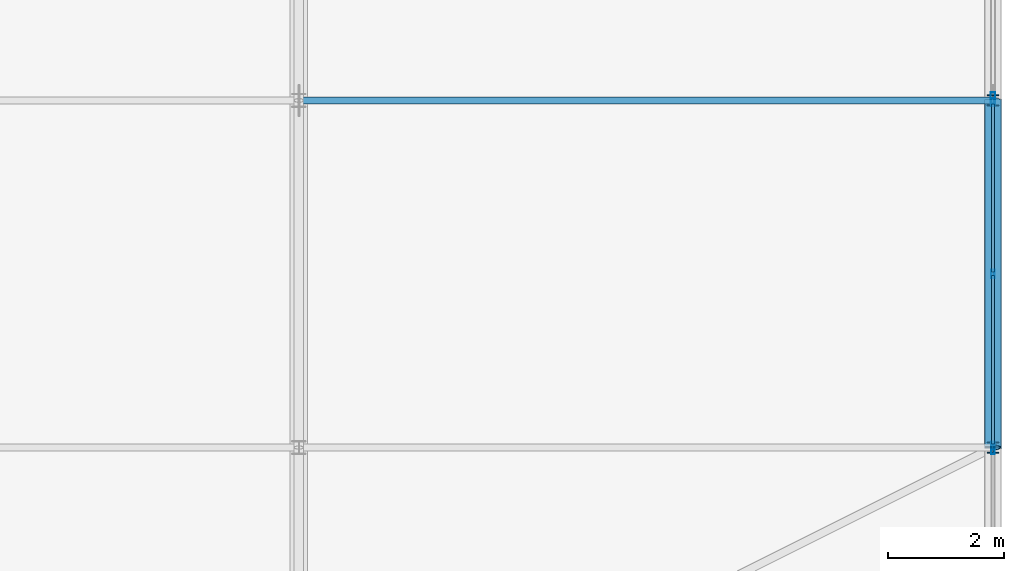
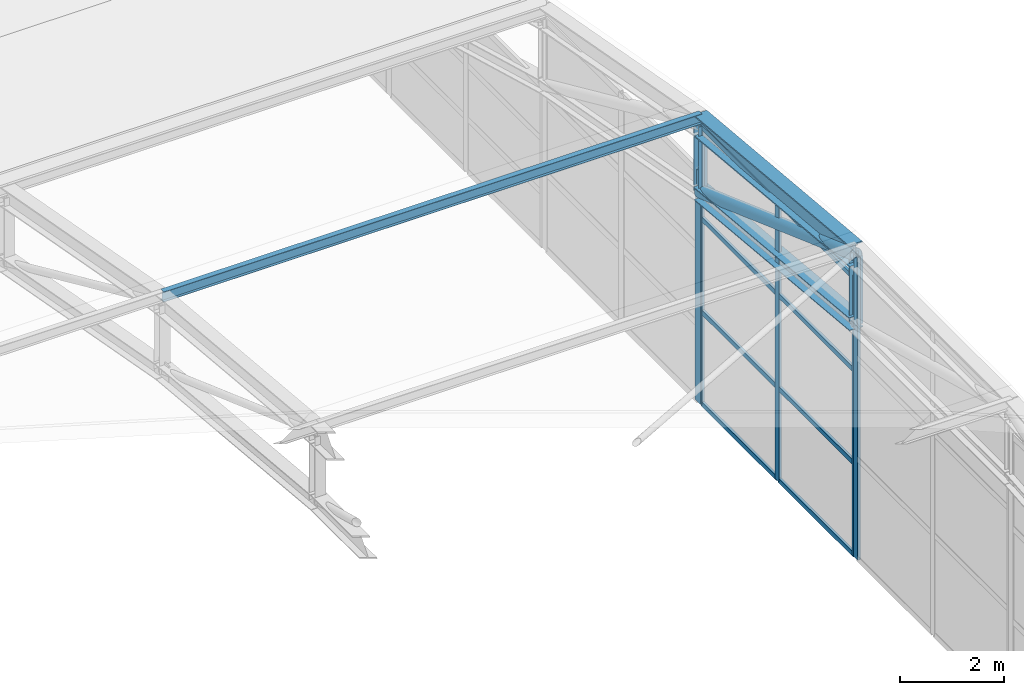
# One storey, part 113 of 204: 19 members, 3 elements without a shape of their own.
"""IFC4 building model written with IfcOpenShell, lengths in metres."""

from ifc_helpers import new_model, si_unit, direction, frame, origin, origin_2d, place, context, subcontext, project, spatial, hollow_rectangle, hollow_circle, i_section, extrude, material, layer, layer_set, material_profile, profile_set, type_object, element, aggregate, save


model = new_model("IFC4")

# Units and contexts
model_context = context("Model", 3, precision=1e-05, world=origin(), true_north=direction((0.0, 1.0)))
body_context = subcontext(model_context, "Body", "Model", "MODEL_VIEW")
ifc_project = project(units=[si_unit("LENGTHUNIT", "METRE"), si_unit("AREAUNIT", "SQUARE_METRE"), si_unit("VOLUMEUNIT", "CUBIC_METRE"), si_unit("PLANEANGLEUNIT", "RADIAN"), si_unit("MASSUNIT", "GRAM", prefix="KILO")], contexts=[model_context])

# Site, building, storey
site_placement = place(None, origin())
site = spatial("IfcSite", under=ifc_project, at=site_placement, CompositionType="ELEMENT")
building_placement = place(site_placement, origin())
building = spatial("IfcBuilding", under=site, at=building_placement, Name="Zilviju Railside Exhibition Hall", CompositionType="ELEMENT")
storey_placement = place(building_placement, frame((0.0, 0.0, 21.0)))
storey = spatial("IfcBuildingStorey", under=building, at=storey_placement, Name="RF", CompositionType="ELEMENT", Elevation=21.0)

# Curtain wall, members
ifc_material_1 = material(Name="Thermally broken aluminium-steel triple-glazed curtain wall", Category="steel")
ifc_layer_1 = layer(ifc_material_1, 0.179931640625)
ifc_layer_set_1 = layer_set([ifc_layer_1], Name="Thermally broken aluminium-steel triple-glazed curtain wall")
curtain_wall_type_1 = type_object("IfcCurtainWallType", Name="CW-BAY-03", PredefinedType="USERDEFINED", material=ifc_layer_set_1)
curtain_wall_1_placement = place(storey_placement, origin())
curtain_wall_1 = element("IfcCurtainWall", 1, at=curtain_wall_1_placement, inside=storey, type_object=curtain_wall_type_1, Name="South Hall Arch Tympanum Glazing East P6", ObjectType="GLAZED CURTAIN WALL", PredefinedType="USERDEFINED")
ifc_material_2 = material(Name="Thermally broken anodized aluminium mullion", Category="aluminium")
ifc_material_profile_1 = material_profile(ifc_material_2, hollow_rectangle(XDim=0.06005859375, YDim=0.139892578125, WallThickness=0.0048828125, at=origin_2d()), Name="MULLION 140x60x5")
ifc_profile_set_1 = profile_set([ifc_material_profile_1], Name="Thermally broken anodized aluminium mullion")
member_type_1 = type_object("IfcMemberType", Name="CWM-60x140", PredefinedType="MULLION", material=ifc_profile_set_1)
member_1_placement = place(storey_placement, frame((216.0, 35.969970703125, -7.800048828125), z_axis=(0.0, 0.0, 1.0), x_axis=(1.0, 0.0, 0.0)))
member_1 = element("IfcMember", 2, at=member_1_placement, type_object=member_type_1, Name="CW-03 mullion 1", PredefinedType="MULLION", context=body_context, shape_type="SweptSolid", body=[
    extrude(hollow_rectangle(XDim=0.06005859375, YDim=0.139892578125, WallThickness=0.0048828125, at=origin_2d()), origin(), (0.0, 0.0, 1.0), 6.578125),
])
member_2_placement = place(storey_placement, frame((216.0, 33.0, -7.800048828125), z_axis=(0.0, 0.0, 1.0), x_axis=(1.0, 0.0, 0.0)))
member_2 = element("IfcMember", 3, at=member_2_placement, type_object=member_type_1, Name="CW-03 mullion 2", PredefinedType="MULLION", context=body_context, shape_type="SweptSolid", body=[
    extrude(hollow_rectangle(XDim=0.06005859375, YDim=0.139892578125, WallThickness=0.0048828125, at=origin_2d()), origin(), (0.0, 0.0, 1.0), 6.578125),
])
member_3_placement = place(storey_placement, frame((216.0, 30.030029296875, -7.800048828125), z_axis=(0.0, 0.0, 1.0), x_axis=(1.0, 0.0, 0.0)))
member_3 = element("IfcMember", 4, at=member_3_placement, type_object=member_type_1, Name="CW-03 mullion 3", PredefinedType="MULLION", context=body_context, shape_type="SweptSolid", body=[
    extrude(hollow_rectangle(XDim=0.06005859375, YDim=0.139892578125, WallThickness=0.0048828125, at=origin_2d()), origin(), (0.0, 0.0, 1.0), 6.578125),
])

# Curtain wall, member
ifc_layer_2 = layer(ifc_material_1, 0.179931640625)
ifc_layer_set_2 = layer_set([ifc_layer_2], Name="Thermally broken aluminium-steel triple-glazed curtain wall")
curtain_wall_type_2 = type_object("IfcCurtainWallType", Name="CW-BAY-02", PredefinedType="USERDEFINED", material=ifc_layer_set_2)
curtain_wall_2_placement = place(storey_placement, origin())
curtain_wall_2 = element("IfcCurtainWall", 5, at=curtain_wall_2_placement, inside=storey, type_object=curtain_wall_type_2, Name="South Hall Arch Tympanum Glazing East P5", ObjectType="GLAZED CURTAIN WALL", PredefinedType="USERDEFINED")
ifc_material_profile_2 = material_profile(ifc_material_2, hollow_rectangle(XDim=0.06494140625, YDim=0.159912109375, WallThickness=0.0048828125, at=origin_2d()), Name="MULLION 160x65x5")
ifc_profile_set_2 = profile_set([ifc_material_profile_2], Name="Thermally broken anodized aluminium mullion")
member_type_2 = type_object("IfcMemberType", Name="CWM-65x160", PredefinedType="MULLION", material=ifc_profile_set_2)
member_4_placement = place(storey_placement, frame((216.0, 29.967529296875, -7.800048828125), z_axis=(0.0, 0.0, 1.0), x_axis=(1.0, 0.0, 0.0)))
member_4 = element("IfcMember", 6, at=member_4_placement, type_object=member_type_2, Name="CW-02 mullion 1", PredefinedType="MULLION", context=body_context, shape_type="SweptSolid", body=[
    extrude(hollow_rectangle(XDim=0.06494140625, YDim=0.159912109375, WallThickness=0.0048828125, at=origin_2d()), origin(), (0.0, 0.0, 1.0), 7.131103515625),
])
aggregate(curtain_wall_2, [member_4])

ifc_layer_3 = layer(ifc_material_1, 0.179931640625)
ifc_layer_set_3 = layer_set([ifc_layer_3], Name="Thermally broken aluminium-steel triple-glazed curtain wall")
curtain_wall_type_3 = type_object("IfcCurtainWallType", Name="CW-BAY-04", PredefinedType="USERDEFINED", material=ifc_layer_set_3)
curtain_wall_3_placement = place(storey_placement, origin())
curtain_wall_3 = element("IfcCurtainWall", 7, at=curtain_wall_3_placement, inside=storey, type_object=curtain_wall_type_3, Name="South Hall Arch Tympanum Glazing East P7", ObjectType="GLAZED CURTAIN WALL", PredefinedType="USERDEFINED")
ifc_material_profile_3 = material_profile(ifc_material_2, hollow_rectangle(XDim=0.080078125, YDim=0.199951171875, WallThickness=0.0048828125, at=origin_2d()), Name="MULLION 200x80x5")
ifc_profile_set_3 = profile_set([ifc_material_profile_3], Name="Thermally broken anodized aluminium mullion")
member_type_3 = type_object("IfcMemberType", Name="CWM-80x200", PredefinedType="MULLION", material=ifc_profile_set_3)
member_5_placement = place(storey_placement, frame((216.0, 36.0400390625, -7.800048828125), z_axis=(0.0, 0.0, 1.0), x_axis=(1.0, 0.0, 0.0)))
member_5 = element("IfcMember", 8, at=member_5_placement, type_object=member_type_3, Name="CW-04 mullion 3", PredefinedType="MULLION", context=body_context, shape_type="SweptSolid", body=[
    extrude(hollow_rectangle(XDim=0.080078125, YDim=0.199951171875, WallThickness=0.0048828125, at=origin_2d()), origin(), (0.0, 0.0, 1.0), 5.47216796875),
])
aggregate(curtain_wall_3, [member_5])

# Member
ifc_material_3 = material(Name="Thermally broken anodized aluminium transom", Category="aluminium")
ifc_material_profile_4 = material_profile(ifc_material_3, hollow_rectangle(XDim=0.06005859375, YDim=0.110107421875, WallThickness=0.0048828125, at=origin_2d()), Name="TRANSOM 110x60x5")
ifc_profile_set_4 = profile_set([ifc_material_profile_4], Name="Thermally broken anodized aluminium transom")
member_type_4 = type_object("IfcMemberType", Name="CWT-60x110", PredefinedType="USERDEFINED", material=ifc_profile_set_4)
member_6_placement = place(storey_placement, frame((216.0, 35.93994140625, -7.77001953125), z_axis=(0.0, -1.0, 0.0), x_axis=(1.0, 0.0, 0.0)))
member_6 = element("IfcMember", 9, at=member_6_placement, type_object=member_type_4, Name="CW-03 transom 1.1", ObjectType="TRANSOM", PredefinedType="USERDEFINED", context=body_context, shape_type="SweptSolid", body=[
    extrude(hollow_rectangle(XDim=0.06005859375, YDim=0.110107421875, WallThickness=0.0048828125, at=origin_2d()), origin(), (0.0, 0.0, 1.0), 2.909912109375),
])

member_7_placement = place(storey_placement, frame((216.0, 35.93994140625, -5.60693359375), z_axis=(0.0, -1.0, 0.0), x_axis=(1.0, 0.0, 0.0)))
member_7 = element("IfcMember", 10, at=member_7_placement, type_object=member_type_4, Name="CW-03 transom 1.2", ObjectType="TRANSOM", PredefinedType="USERDEFINED", context=body_context, shape_type="SweptSolid", body=[
    extrude(hollow_rectangle(XDim=0.06005859375, YDim=0.110107421875, WallThickness=0.0048828125, at=origin_2d()), origin(), (0.0, 0.0, 1.0), 2.909912109375),
])

member_8_placement = place(storey_placement, frame((216.0, 35.93994140625, -3.4150390625), z_axis=(0.0, -1.0, 0.0), x_axis=(1.0, 0.0, 0.0)))
member_8 = element("IfcMember", 11, at=member_8_placement, type_object=member_type_4, Name="CW-03 transom 1.3", ObjectType="TRANSOM", PredefinedType="USERDEFINED", context=body_context, shape_type="SweptSolid", body=[
    extrude(hollow_rectangle(XDim=0.06005859375, YDim=0.110107421875, WallThickness=0.0048828125, at=origin_2d()), origin(), (0.0, 0.0, 1.0), 2.909912109375),
])

member_9_placement = place(storey_placement, frame((216.0, 35.93994140625, -1.251953125), z_axis=(0.0, -1.0, 0.0), x_axis=(1.0, 0.0, 0.0)))
member_9 = element("IfcMember", 12, at=member_9_placement, type_object=member_type_4, Name="CW-03 transom 1.4", ObjectType="TRANSOM", PredefinedType="USERDEFINED", context=body_context, shape_type="SweptSolid", body=[
    extrude(hollow_rectangle(XDim=0.06005859375, YDim=0.110107421875, WallThickness=0.0048828125, at=origin_2d()), origin(), (0.0, 0.0, 1.0), 2.909912109375),
])

member_10_placement = place(storey_placement, frame((216.0, 32.969970703125, -7.77001953125), z_axis=(0.0, -1.0, 0.0), x_axis=(1.0, 0.0, 0.0)))
member_10 = element("IfcMember", 13, at=member_10_placement, type_object=member_type_4, Name="CW-03 transom 2.1", ObjectType="TRANSOM", PredefinedType="USERDEFINED", context=body_context, shape_type="SweptSolid", body=[
    extrude(hollow_rectangle(XDim=0.06005859375, YDim=0.110107421875, WallThickness=0.0048828125, at=origin_2d()), origin(), (0.0, 0.0, 1.0), 2.909912109375),
])

member_11_placement = place(storey_placement, frame((216.0, 32.969970703125, -5.60693359375), z_axis=(0.0, -1.0, 0.0), x_axis=(1.0, 0.0, 0.0)))
member_11 = element("IfcMember", 14, at=member_11_placement, type_object=member_type_4, Name="CW-03 transom 2.2", ObjectType="TRANSOM", PredefinedType="USERDEFINED", context=body_context, shape_type="SweptSolid", body=[
    extrude(hollow_rectangle(XDim=0.06005859375, YDim=0.110107421875, WallThickness=0.0048828125, at=origin_2d()), origin(), (0.0, 0.0, 1.0), 2.909912109375),
])

member_12_placement = place(storey_placement, frame((216.0, 32.969970703125, -3.4150390625), z_axis=(0.0, -1.0, 0.0), x_axis=(1.0, 0.0, 0.0)))
member_12 = element("IfcMember", 15, at=member_12_placement, type_object=member_type_4, Name="CW-03 transom 2.3", ObjectType="TRANSOM", PredefinedType="USERDEFINED", context=body_context, shape_type="SweptSolid", body=[
    extrude(hollow_rectangle(XDim=0.06005859375, YDim=0.110107421875, WallThickness=0.0048828125, at=origin_2d()), origin(), (0.0, 0.0, 1.0), 2.909912109375),
])

member_13_placement = place(storey_placement, frame((216.0, 32.969970703125, -1.251953125), z_axis=(0.0, -1.0, 0.0), x_axis=(1.0, 0.0, 0.0)))
member_13 = element("IfcMember", 16, at=member_13_placement, type_object=member_type_4, Name="CW-03 transom 2.4", ObjectType="TRANSOM", PredefinedType="USERDEFINED", context=body_context, shape_type="SweptSolid", body=[
    extrude(hollow_rectangle(XDim=0.06005859375, YDim=0.110107421875, WallThickness=0.0048828125, at=origin_2d()), origin(), (0.0, 0.0, 1.0), 2.909912109375),
])

aggregate(curtain_wall_1, [member_1, member_2, member_3, member_6, member_7, member_8, member_9, member_10, member_11, member_12, member_13])

# Members
ifc_material_4 = material(Name="Steel S355ML", Category="steel")
ifc_material_profile_5 = material_profile(ifc_material_4, hollow_circle(Radius=0.136474609375, WallThickness=0.012451171875, at=origin_2d()), Name="CHS 273.0x12.5")
ifc_profile_set_5 = profile_set([ifc_material_profile_5], Name="Steel S355ML")
member_type_5 = type_object("IfcMemberType", Name="TR-BR-CHS273", PredefinedType="BRACE", material=ifc_profile_set_5)
member_14_placement = place(storey_placement, frame((216.0, 30.0, -0.669189453125), z_axis=(0.0, 0.94123307508, -0.337757751023), x_axis=(-1.0, 0.0, 0.0)))
element("IfcMember", 17, at=member_14_placement, inside=storey, type_object=member_type_5, Name="V1 Parabolic Arch Web Diagonal X=216.0 P6", PredefinedType="BRACE", context=body_context, shape_type="SweptSolid", body=[
    extrude(hollow_circle(Radius=0.136474609375, WallThickness=0.012451171875, at=origin_2d()), origin(), (0.0, 0.0, 1.0), 6.37451171875),
])
ifc_material_profile_6 = material_profile(ifc_material_4, i_section(OverallWidth=0.300048828125, OverallDepth=0.300048828125, WebThickness=0.010986328125, FlangeThickness=0.01904296875, at=origin_2d()), Name="HEB 300")
ifc_profile_set_6 = profile_set([ifc_material_profile_6], Name="Steel S355ML")
member_type_6 = type_object("IfcMemberType", Name="TR-CH-HEB300", PredefinedType="CHORD", material=ifc_profile_set_6)
member_15_placement = place(storey_placement, frame((216.0, 30.0, -2.26904296875), z_axis=(0.0, 0.995776144786, -0.091814320641), x_axis=(-1.0, 0.0, 0.0)))
element("IfcMember", 18, at=member_15_placement, inside=storey, type_object=member_type_6, Name="V1 Parabolic Arch Bottom Chord X=216.0 P6", PredefinedType="CHORD", context=body_context, shape_type="SweptSolid", body=[
    extrude(i_section(OverallWidth=0.300048828125, OverallDepth=0.300048828125, WebThickness=0.010986328125, FlangeThickness=0.01904296875, at=origin_2d()), origin(), (0.0, 0.0, 1.0), 6.025390625),
])
ifc_material_profile_7 = material_profile(ifc_material_4, i_section(OverallWidth=0.300048828125, OverallDepth=0.5, WebThickness=0.014404296875, FlangeThickness=0.028076171875, at=origin_2d()), Name="HEB 500")
ifc_profile_set_7 = profile_set([ifc_material_profile_7], Name="Steel S355ML")
member_type_7 = type_object("IfcMemberType", Name="TR-CH-HEB500-ML", PredefinedType="CHORD", material=ifc_profile_set_7)
member_16_placement = place(storey_placement, frame((216.0, 30.0, -0.669189453125), z_axis=(0.0, 0.99577984843, -0.091774143746), x_axis=(-1.0, 0.0, 0.0)))
element("IfcMember", 19, at=member_16_placement, inside=storey, type_object=member_type_7, Name="V1 Parabolic Arch Top Chord X=216.0 P6", PredefinedType="CHORD", context=body_context, shape_type="SweptSolid", body=[
    extrude(i_section(OverallWidth=0.300048828125, OverallDepth=0.5, WebThickness=0.014404296875, FlangeThickness=0.028076171875, at=origin_2d()), origin(), (0.0, 0.0, 1.0), 6.025390625),
])
ifc_material_profile_8 = material_profile(ifc_material_4, i_section(OverallWidth=0.199951171875, OverallDepth=0.18994140625, WebThickness=0.006591796875, FlangeThickness=0.010009765625, at=origin_2d()), Name="HEA 200")
ifc_profile_set_8 = profile_set([ifc_material_profile_8], Name="Steel S355ML")
member_type_8 = type_object("IfcMemberType", Name="TR-POST-HEA200", PredefinedType="POST", material=ifc_profile_set_8)
member_17_placement = place(storey_placement, frame((216.0, 30.0, -2.26904296875), z_axis=(0.0, 0.0, 1.0), x_axis=(1.0, 0.0, 0.0)))
element("IfcMember", 20, at=member_17_placement, inside=storey, type_object=member_type_8, Name="V1 Parabolic Arch Web Post X=216.0 N5", PredefinedType="POST", context=body_context, shape_type="SweptSolid", body=[
    extrude(i_section(OverallWidth=0.199951171875, OverallDepth=0.18994140625, WebThickness=0.006591796875, FlangeThickness=0.010009765625, at=origin_2d()), origin(), (0.0, 0.0, 1.0), 1.599853515625),
])
member_18_placement = place(storey_placement, frame((216.0, 36.0, -2.822265625), z_axis=(0.0, 0.0, 1.0), x_axis=(1.0, 0.0, 0.0)))
element("IfcMember", 21, at=member_18_placement, inside=storey, type_object=member_type_8, Name="V1 Parabolic Arch Web Post X=216.0 N6", PredefinedType="POST", context=body_context, shape_type="SweptSolid", body=[
    extrude(i_section(OverallWidth=0.199951171875, OverallDepth=0.18994140625, WebThickness=0.006591796875, FlangeThickness=0.010009765625, at=origin_2d()), origin(), (0.0, 0.0, 1.0), 1.60009765625),
])
ifc_material_5 = material(Name="Steel S355J2", Category="steel")
ifc_material_profile_9 = material_profile(ifc_material_5, i_section(OverallWidth=0.1201171875, OverallDepth=0.239990234375, WebThickness=0.006103515625, FlangeThickness=0.009765625, at=origin_2d()), Name="IPE 240")
ifc_profile_set_9 = profile_set([ifc_material_profile_9], Name="Steel S355J2")
member_type_9 = type_object("IfcMemberType", Name="TR-PUR-IPE240", PredefinedType="PURLIN", material=ifc_profile_set_9)
member_19_placement = place(storey_placement, frame((204.0, 36.0, -1.0771484375), z_axis=(1.0, 0.0, 0.0), x_axis=(0.0, 1.0, 0.0)))
element("IfcMember", 22, at=member_19_placement, inside=storey, type_object=member_type_9, Name="V1 Barrel Vault Roof Purlin Y=36.0 (204.0..216.0)", PredefinedType="PURLIN", context=body_context, shape_type="SweptSolid", body=[
    extrude(i_section(OverallWidth=0.1201171875, OverallDepth=0.239990234375, WebThickness=0.006103515625, FlangeThickness=0.009765625, at=origin_2d()), origin(), (0.0, 0.0, 1.0), 12.0),
])

save(model, "model.ifc")
